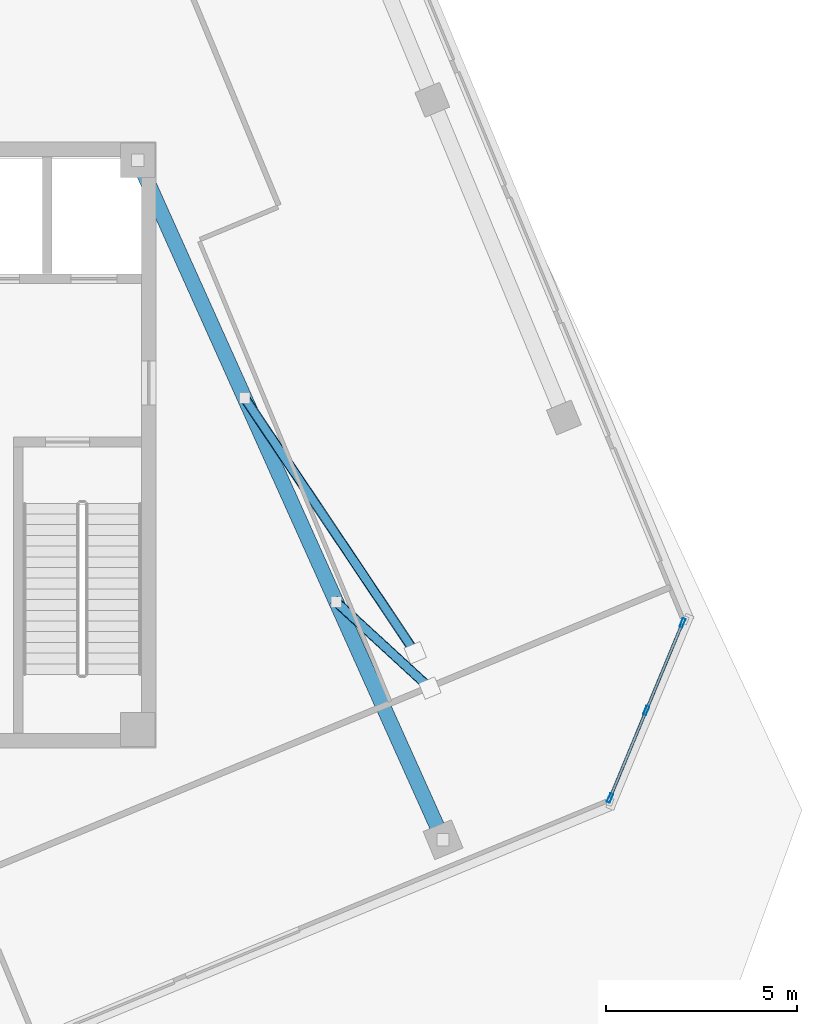
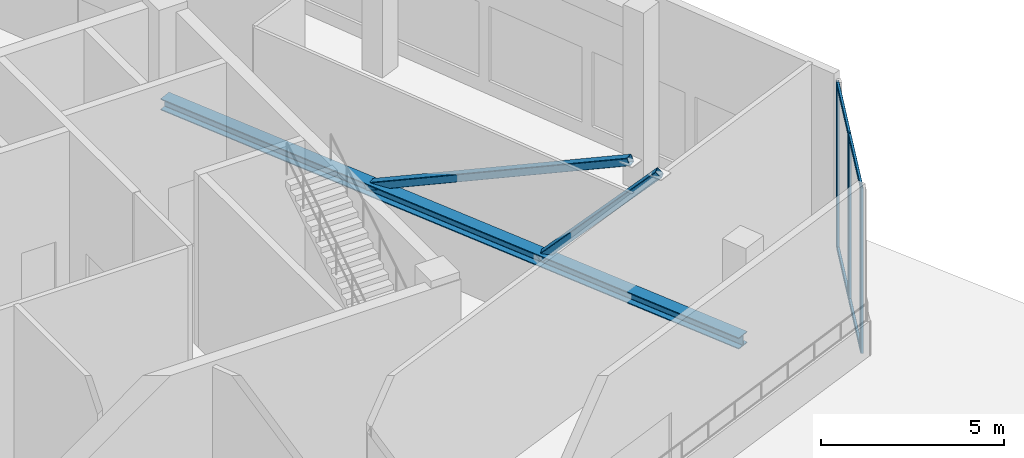
# One storey, part 4 of 16: 10 members, 1 element without a shape of its own.
"""IFC4 building model written with IfcOpenShell, lengths in metres."""

import ifcopenshell
import ifcopenshell.guid

model = None  # the IFC model being written
_history = None  # IfcOwnerHistory: only IFC2X3 demands one
_inside = {}  # id of a spatial element -> (the spatial element, [elements in it])
_under = {}  # id of a project, library or spatial element -> (it, [spatial elements below it])
_declared = {}  # id of a project -> (the project, [libraries it declares])
_typed = {}  # id of a type object -> (the type object, [elements of that type])
_made_of = {}  # id of a material, layer set ... -> (it, [elements and type objects made of it])


def new_model(schema):
    """Start an empty IFC model of exactly this schema.

    Asked for "IFC4X3", IfcOpenShell would pick the latest addendum, in which some entities
    have other attributes; the version numbers below select the first issue.
    IFC2X3 requires an IfcOwnerHistory on every rooted entity: one is made here for all.
    """
    global model, _history
    if schema == "IFC4X3":
        model = ifcopenshell.file(schema_version=(4, 3, 0, 0))
    else:
        model = ifcopenshell.file(schema=schema)
    _inside.clear()
    _under.clear()
    _declared.clear()
    _typed.clear()
    _made_of.clear()
    _history = None
    if model.schema == "IFC2X3":
        org = make("IfcOrganization", Name="unknown")
        user = make(
            "IfcPersonAndOrganization",
            ThePerson=make("IfcPerson", FamilyName="unknown"),
            TheOrganization=org,
        )
        app = make(
            "IfcApplication",
            ApplicationDeveloper=org,
            Version="unknown",
            ApplicationFullName="unknown",
            ApplicationIdentifier="unknown",
        )
        _history = make(
            "IfcOwnerHistory",
            OwningUser=user,
            OwningApplication=app,
            ChangeAction="ADDED",
            CreationDate=0,
        )
    return model


def make(cls, **values):
    """One entity of the class cls with the attributes given. An attribute that is None is left unset."""
    return model.create_entity(
        cls, **{name: value for name, value in values.items() if value is not None}
    )


def rooted(cls, **values):
    """An entity with a GlobalId (a new one), such as an element, a storey or a relation."""
    return make(cls, GlobalId=ifcopenshell.guid.new(), OwnerHistory=_history, **values)


def si_unit(unit_type, name, prefix=None):
    """IfcSIUnit, for example si_unit("LENGTHUNIT", "METRE", prefix="MILLI")."""
    return make("IfcSIUnit", UnitType=unit_type, Prefix=prefix, Name=name)


def assignment(units):
    """IfcUnitAssignment: the units of a project."""
    return None if units is None else make("IfcUnitAssignment", Units=units)


def point(xyz):
    """IfcCartesianPoint."""
    return None if xyz is None else make("IfcCartesianPoint", Coordinates=xyz)


def direction(xyz):
    """IfcDirection."""
    return None if xyz is None else make("IfcDirection", DirectionRatios=xyz)


def frame(location, z_axis=None, x_axis=None):
    """IfcAxis2Placement3D, a coordinate frame: its origin and axes. An axis left out is left unset."""
    return make(
        "IfcAxis2Placement3D",
        Location=point(location),
        Axis=direction(z_axis),
        RefDirection=direction(x_axis),
    )


def frame_2d(location, x_axis=None):
    """IfcAxis2Placement2D, a coordinate frame in the plane: its origin and x axis."""
    return make(
        "IfcAxis2Placement2D", Location=point(location), RefDirection=direction(x_axis)
    )


def origin():
    """The frame at (0, 0, 0) with its axes left unset."""
    return frame((0.0, 0.0, 0.0))


def origin_2d():
    """The frame at (0, 0) in the plane with its x axis left unset."""
    return frame_2d((0.0, 0.0))


def place(relative_to, where):
    """IfcLocalPlacement: puts the frame where relative to a parent placement (None: the world)."""
    return make(
        "IfcLocalPlacement", PlacementRelTo=relative_to, RelativePlacement=where
    )


def context(
    kind, dimensions, precision=None, world=None, true_north=None, identifier=None
):
    """IfcGeometricRepresentationContext, for example the 3D "Model" context."""
    return make(
        "IfcGeometricRepresentationContext",
        ContextIdentifier=identifier,
        ContextType=kind,
        CoordinateSpaceDimension=dimensions,
        Precision=precision,
        WorldCoordinateSystem=world,
        TrueNorth=true_north,
    )


def subcontext(parent, identifier, kind, view, scale=None):
    """IfcGeometricRepresentationSubContext, for example "Body" below "Model"."""
    return make(
        "IfcGeometricRepresentationSubContext",
        ContextIdentifier=identifier,
        ContextType=kind,
        ParentContext=parent,
        TargetScale=scale,
        TargetView=view,
    )


def project(units=None, contexts=None):
    """IfcProject with its units and contexts."""
    return rooted(
        "IfcProject",
        Name="project",
        RepresentationContexts=contexts,
        UnitsInContext=assignment(units),
    )


def spatial(cls, under=None, at=None, **own):
    """A site, building, storey or space (cls), placed at a placement, below another one or the project."""
    s = rooted(cls, ObjectPlacement=at, **own)
    if under is not None:
        _under.setdefault(under.id(), (under, []))[1].append(s)
    return s


def profile(cls, at=None, kind="AREA", **sizes):
    """A parametric profile (cls). Its sizes go by their IFC names, for example OverallWidth=200.0."""
    return make(cls, ProfileType=kind, Position=at, **sizes)


def hollow_rectangle(**sizes):
    """IfcRectangleHollowProfileDef."""
    return profile("IfcRectangleHollowProfileDef", **sizes)


def i_section(**sizes):
    """IfcIShapeProfileDef."""
    return profile("IfcIShapeProfileDef", **sizes)


def extrude(swept, where, along, depth):
    """IfcExtrudedAreaSolid: the profile swept, set in the frame where, extruded along a direction by depth."""
    return make(
        "IfcExtrudedAreaSolid",
        SweptArea=swept,
        Position=where,
        ExtrudedDirection=direction(along),
        Depth=depth,
    )


def shape(context_of_items, identifier, shape_type, items):
    """IfcShapeRepresentation: the items that make up one representation, for example the "Body"."""
    return make(
        "IfcShapeRepresentation",
        ContextOfItems=context_of_items,
        RepresentationIdentifier=identifier,
        RepresentationType=shape_type,
        Items=items,
    )


def source(mapping_origin, context_of_items, identifier, shape_type, items):
    """IfcRepresentationMap: a shape defined once, which mapped items show again and again."""
    return make(
        "IfcRepresentationMap",
        MappingOrigin=mapping_origin,
        MappedRepresentation=shape(context_of_items, identifier, shape_type, items),
    )


def transform(
    local_origin,
    x_axis=None,
    y_axis=None,
    z_axis=None,
    scale=None,
    scale2=None,
    scale3=None,
    uniform=True,
):
    """IfcCartesianTransformationOperator3D, or its non-uniform kind. x_axis, y_axis, z_axis: its Axis1, 2, 3."""
    if uniform:
        return make(
            "IfcCartesianTransformationOperator3D",
            Axis1=direction(x_axis),
            Axis2=direction(y_axis),
            LocalOrigin=point(local_origin),
            Scale=scale,
            Axis3=direction(z_axis),
        )
    return make(
        "IfcCartesianTransformationOperator3DnonUniform",
        Axis1=direction(x_axis),
        Axis2=direction(y_axis),
        LocalOrigin=point(local_origin),
        Scale=scale,
        Axis3=direction(z_axis),
        Scale2=scale2,
        Scale3=scale3,
    )


def mapped(mapping_source, mapping_target):
    """IfcMappedItem: shows the shape of a source again, moved by a transform."""
    return make(
        "IfcMappedItem", MappingSource=mapping_source, MappingTarget=mapping_target
    )


def material(Name=None, Category=None):
    """IfcMaterial."""
    return make("IfcMaterial", Name=Name, Category=Category)


def material_profile(
    of_material, cross_section, Name=None, Category=None, Priority=None
):
    """IfcMaterialProfile: a cross section and its material."""
    return make(
        "IfcMaterialProfile",
        Name=Name,
        Material=of_material,
        Profile=cross_section,
        Priority=Priority,
        Category=Category,
    )


def profile_set(profiles, Name=None, composite=None):
    """IfcMaterialProfileSet."""
    return make(
        "IfcMaterialProfileSet",
        Name=Name,
        MaterialProfiles=profiles,
        CompositeProfile=composite,
    )


def made_of(thing, what):
    """Note that an element or type object is made of a material, layer set ...; save() writes the relation."""
    if what is not None:
        _made_of.setdefault(what.id(), (what, []))[1].append(thing)
    return thing


def type_object(cls, material=None, **own):
    """A type object (cls), such as IfcWallType, which elements share."""
    return made_of(rooted(cls, **own), material)


def element(
    cls,
    number,
    at=None,
    inside=None,
    cuts=None,
    type_object=None,
    material=None,
    context=None,
    identifier="Body",
    shape_type=None,
    held_by="IfcProductDefinitionShape",
    body=None,
    shapes=None,
    **own,
):
    """One element of the class cls, such as IfcWall. Its Tag is "e" and its number.

    at: its placement. inside: the storey or other place that contains it. cuts: it is an
    opening in that element (IfcRelVoidsElement). A single representation is given by context,
    identifier, shape_type and body (its items); several are given by shapes. held_by: the class
    of the entity that holds the representations. save() writes the other relations.
    """
    e = rooted(cls, Tag="e%d" % number, ObjectPlacement=at, **own)
    if body is not None:
        shapes = [shape(context, identifier, shape_type, body)]
    if shapes is not None:
        e.Representation = make(held_by, Representations=shapes)
    if inside is not None:
        _inside.setdefault(inside.id(), (inside, []))[1].append(e)
    if cuts is not None:
        rooted(
            "IfcRelVoidsElement", RelatingBuildingElement=cuts, RelatedOpeningElement=e
        )
    if type_object is not None:
        _typed.setdefault(type_object.id(), (type_object, []))[1].append(e)
    return made_of(e, material)


def aggregate(whole, parts):
    """IfcRelAggregates: a whole, such as a stair, and the parts it consists of."""
    return rooted("IfcRelAggregates", RelatingObject=whole, RelatedObjects=parts)


def save(model, path):
    """Write the relations noted so far, then the file.

    IfcRelAggregates (storeys below a building ...), IfcRelContainedInSpatialStructure (elements
    in a storey), IfcRelDefinesByType, IfcRelAssociatesMaterial and IfcRelDeclares: one each for
    every whole, place, type object, material and project.
    """
    for whole, parts in _under.values():
        aggregate(whole, parts)
    for where, things in _inside.values():
        rooted(
            "IfcRelContainedInSpatialStructure",
            RelatedElements=things,
            RelatingStructure=where,
        )
    for kind, things in _typed.values():
        rooted("IfcRelDefinesByType", RelatedObjects=things, RelatingType=kind)
    for what, things in _made_of.values():
        rooted("IfcRelAssociatesMaterial", RelatedObjects=things, RelatingMaterial=what)
    for by, libraries in _declared.values():
        rooted("IfcRelDeclares", RelatingContext=by, RelatedDefinitions=libraries)
    model.write(path)


model = new_model("IFC4")

# Units and contexts
model_context = context("Model", 3, precision=1e-05, world=origin(), true_north=direction((0.0, 1.0)))
body_context = subcontext(model_context, "Body", "Model", "MODEL_VIEW")
ifc_project = project(units=[si_unit("LENGTHUNIT", "METRE"), si_unit("AREAUNIT", "SQUARE_METRE"), si_unit("VOLUMEUNIT", "CUBIC_METRE"), si_unit("PLANEANGLEUNIT", "RADIAN"), si_unit("MASSUNIT", "GRAM", prefix="KILO")], contexts=[model_context])

# Site, building, storey
site_placement = place(None, origin())
site = spatial("IfcSite", under=ifc_project, at=site_placement, CompositionType="ELEMENT")
building_placement = place(site_placement, origin())
building = spatial("IfcBuilding", under=site, at=building_placement, Name="Torre Montelarca", CompositionType="ELEMENT")
storey_placement = place(building_placement, frame((0.0, 0.0, 349.199951171875)))
storey = spatial("IfcBuildingStorey", under=building, at=storey_placement, Name="L79", CompositionType="ELEMENT", Elevation=349.199951171875)

# Members
ifc_material_1 = material(Name="Steel ASTM A992 Grade 50", Category="steel")
ifc_material_profile_1 = material_profile(ifc_material_1, i_section(OverallWidth=0.39501953125, OverallDepth=0.3798828125, WebThickness=0.018798828125, FlangeThickness=0.0302734375, FilletRadius=0.014892578125, at=origin_2d()), Name="W360X237", Category="steel")
ifc_profile_set_1 = profile_set([ifc_material_profile_1], Name="Steel ASTM A992 Grade 50")
member_type_1 = type_object("IfcMemberType", Name="MB-CH-W360X237", PredefinedType="CHORD", material=ifc_profile_set_1)
shared_shape_1 = source(origin(), body_context, "Body", "SweptSolid", [
    extrude(i_section(OverallWidth=0.39501953125, OverallDepth=0.3798828125, WebThickness=0.018798828125, FlangeThickness=0.0302734375, FilletRadius=0.014892578125, at=origin_2d()), origin(), (0.0, 0.0, 1.0), 19.4970703125),
])
member_1_placement = place(storey_placement, frame((26.449951171875, 39.449951171875, 2.550048828125), z_axis=(0.409805408511, -0.912172969976, 0.0), x_axis=(0.912172969976, 0.409805408511, 0.0)))
element("IfcMember", 1, at=member_1_placement, inside=storey, type_object=member_type_1, Name="L79 Tuned Mass Damper TMD-01 Support Chord", PredefinedType="CHORD", context=body_context, shape_type="MappedRepresentation", body=[
    mapped(shared_shape_1, transform((0.0, 0.0, 0.0), scale=1.0)),
])
ifc_material_2 = material(Name="Steel ASTM A500 Grade C", Category="steel")
ifc_material_profile_2 = material_profile(ifc_material_2, hollow_rectangle(XDim=0.25390625, YDim=0.25390625, WallThickness=0.015869140625, InnerFilletRadius=0.015869140625, OuterFilletRadius=0.03173828125, at=origin_2d()), Name="HSS254X254X15.9", Category="steel")
ifc_profile_set_2 = profile_set([ifc_material_profile_2], Name="Steel ASTM A500 Grade C")
member_type_2 = type_object("IfcMemberType", Name="MB-ST-HSS254", PredefinedType="STRUT", material=ifc_profile_set_2)
shared_shape_2 = source(origin(), body_context, "Body", "SweptSolid", [
    extrude(hollow_rectangle(XDim=0.25390625, YDim=0.25390625, WallThickness=0.015869140625, InnerFilletRadius=0.015869140625, OuterFilletRadius=0.03173828125, at=origin_2d()), origin(), (0.0, 0.0, 1.0), 8.679443359375),
])
member_2_placement = place(storey_placement, frame((29.24658203125, 33.225341796875, 2.550048828125), z_axis=(0.514444789332, -0.768052653109, 0.381368169597), x_axis=(0.830845248384, 0.556503524911, 0.0)))
element("IfcMember", 2, at=member_2_placement, inside=storey, type_object=member_type_2, Name="L79 Tuned Mass Damper TMD-01 Reaction Strut 1", PredefinedType="STRUT", context=body_context, shape_type="MappedRepresentation", body=[
    mapped(shared_shape_2, transform((0.0, 0.0, 0.0), scale=1.0)),
])
shared_shape_3 = source(origin(), body_context, "Body", "SweptSolid", [
    extrude(hollow_rectangle(XDim=0.25390625, YDim=0.25390625, WallThickness=0.015869140625, InnerFilletRadius=0.015869140625, OuterFilletRadius=0.03173828125, at=origin_2d()), origin(), (0.0, 0.0, 1.0), 4.695556640625),
])
member_3_placement = place(storey_placement, frame((31.643310546875, 27.889892578125, 2.550048828125), z_axis=(0.522020927524, -0.480165663913, 0.704936228623), x_axis=(0.676985063369, 0.735996755411, 0.0)))
element("IfcMember", 3, at=member_3_placement, inside=storey, type_object=member_type_2, Name="L79 Tuned Mass Damper TMD-01 Reaction Strut 2", PredefinedType="STRUT", context=body_context, shape_type="MappedRepresentation", body=[
    mapped(shared_shape_3, transform((0.0, 0.0, 0.0), scale=1.0)),
])

# Curtain wall, members
ifc_material_3 = material(Name="Amber translucent laminated glass", Category="glass")
curtain_wall_type = type_object("IfcCurtainWallType", Name="CW-SYS-LANT", PredefinedType="USERDEFINED", material=ifc_material_3)
curtain_wall_placement = place(storey_placement, origin())
curtain_wall = element("IfcCurtainWall", 4, at=curtain_wall_placement, inside=storey, type_object=curtain_wall_type, Name="L79 Curtain Wall Run CW-T3-L79-E07-B1", ObjectType="TRANSLUCENT LANTERN", PredefinedType="USERDEFINED")
ifc_material_4 = material(Name="Anodised aluminium AA 6063-T6", Category="aluminium")
ifc_material_profile_3 = material_profile(ifc_material_4, hollow_rectangle(XDim=0.080078125, YDim=0.239990234375, WallThickness=0.0048828125, InnerFilletRadius=0.0048828125, OuterFilletRadius=0.010009765625, at=origin_2d()), Name="ALU80X240X5", Category="aluminium")
ifc_profile_set_3 = profile_set([ifc_material_profile_3], Name="Anodised aluminium AA 6063-T6")
member_type_3 = type_object("IfcMemberType", Name="CWM-ALU240", PredefinedType="MULLION", material=ifc_profile_set_3)
shared_shape_4 = source(origin(), body_context, "Body", "SweptSolid", [
    extrude(hollow_rectangle(XDim=0.080078125, YDim=0.239990234375, WallThickness=0.0048828125, InnerFilletRadius=0.0048828125, OuterFilletRadius=0.010009765625, at=origin_2d()), origin(), (0.0, 0.0, 1.0), 5.52001953125),
])
member_4_placement = place(storey_placement, frame((38.80810546875, 22.757568359375, 0.0), z_axis=(0.0, 0.0, 1.0), x_axis=(-0.923880505758, 0.382681082731, 0.0)))
member_4 = element("IfcMember", 5, at=member_4_placement, type_object=member_type_3, Name="CW mullion 1", PredefinedType="MULLION", context=body_context, shape_type="MappedRepresentation", body=[
    mapped(shared_shape_4, transform((0.0, 0.0, 0.0), scale=1.0)),
])
member_5_placement = place(storey_placement, frame((39.757568359375, 25.0498046875, 0.0), z_axis=(0.0, 0.0, 1.0), x_axis=(-0.923880505758, 0.382681082731, 0.0)))
member_5 = element("IfcMember", 6, at=member_5_placement, type_object=member_type_3, Name="CW mullion 2", PredefinedType="MULLION", context=body_context, shape_type="MappedRepresentation", body=[
    mapped(shared_shape_4, transform((0.0, 0.0, 0.0), scale=1.0)),
])
member_6_placement = place(storey_placement, frame((40.70703125, 27.342041015625, 0.0), z_axis=(0.0, 0.0, 1.0), x_axis=(-0.923880505758, 0.382681082731, 0.0)))
member_6 = element("IfcMember", 7, at=member_6_placement, type_object=member_type_3, Name="CW mullion 3", PredefinedType="MULLION", context=body_context, shape_type="MappedRepresentation", body=[
    mapped(shared_shape_4, transform((0.0, 0.0, 0.0), scale=1.0)),
])
ifc_material_profile_4 = material_profile(ifc_material_4, hollow_rectangle(XDim=0.074951171875, YDim=0.159912109375, WallThickness=0.0048828125, InnerFilletRadius=0.0048828125, OuterFilletRadius=0.010009765625, at=origin_2d()), Name="ALU75X160X5", Category="aluminium")
ifc_profile_set_4 = profile_set([ifc_material_profile_4], Name="Anodised aluminium AA 6063-T6")
member_type_4 = type_object("IfcMemberType", Name="CWT-ALU160", PredefinedType="USERDEFINED", material=ifc_profile_set_4)
shared_shape_5 = source(origin(), body_context, "Body", "SweptSolid", [
    extrude(hollow_rectangle(XDim=0.074951171875, YDim=0.159912109375, WallThickness=0.0048828125, InnerFilletRadius=0.0048828125, OuterFilletRadius=0.010009765625, at=origin_2d()), origin(), (0.0, 0.0, 1.0), 2.40087890625),
])
member_7_placement = place(storey_placement, frame((38.823486328125, 22.79443359375, 0.03759765625), z_axis=(0.382636179588, 0.923899103837, 0.0), x_axis=(-0.923899103837, 0.382636179588, 0.0)))
member_7 = element("IfcMember", 8, at=member_7_placement, type_object=member_type_4, Name="CW transom 1.1", ObjectType="TRANSOM", PredefinedType="USERDEFINED", context=body_context, shape_type="MappedRepresentation", body=[
    mapped(shared_shape_5, transform((0.0, 0.0, 0.0), scale=1.0)),
])
member_8_placement = place(storey_placement, frame((38.823486328125, 22.79443359375, 5.482666015625), z_axis=(0.382636179588, 0.923899103837, 0.0), x_axis=(-0.923899103837, 0.382636179588, 0.0)))
member_8 = element("IfcMember", 9, at=member_8_placement, type_object=member_type_4, Name="CW transom 1.2", ObjectType="TRANSOM", PredefinedType="USERDEFINED", context=body_context, shape_type="MappedRepresentation", body=[
    mapped(shared_shape_5, transform((0.0, 0.0, 0.0), scale=1.0)),
])
shared_shape_6 = source(origin(), body_context, "Body", "SweptSolid", [
    extrude(hollow_rectangle(XDim=0.074951171875, YDim=0.159912109375, WallThickness=0.0048828125, InnerFilletRadius=0.0048828125, OuterFilletRadius=0.010009765625, at=origin_2d()), origin(), (0.0, 0.0, 1.0), 2.4013671875),
])
member_9_placement = place(storey_placement, frame((39.77294921875, 25.086669921875, 0.03759765625), z_axis=(0.382687021514, 0.923878045829, 0.0), x_axis=(-0.923878045829, 0.382687021514, 0.0)))
member_9 = element("IfcMember", 10, at=member_9_placement, type_object=member_type_4, Name="CW transom 2.1", ObjectType="TRANSOM", PredefinedType="USERDEFINED", context=body_context, shape_type="MappedRepresentation", body=[
    mapped(shared_shape_6, transform((0.0, 0.0, 0.0), scale=1.0)),
])
member_10_placement = place(storey_placement, frame((39.77294921875, 25.086669921875, 5.482666015625), z_axis=(0.382687021514, 0.923878045829, 0.0), x_axis=(-0.923878045829, 0.382687021514, 0.0)))
member_10 = element("IfcMember", 11, at=member_10_placement, type_object=member_type_4, Name="CW transom 2.2", ObjectType="TRANSOM", PredefinedType="USERDEFINED", context=body_context, shape_type="MappedRepresentation", body=[
    mapped(shared_shape_6, transform((0.0, 0.0, 0.0), scale=1.0)),
])
aggregate(curtain_wall, [member_4, member_5, member_6, member_7, member_8, member_9, member_10])

save(model, "model.ifc")
